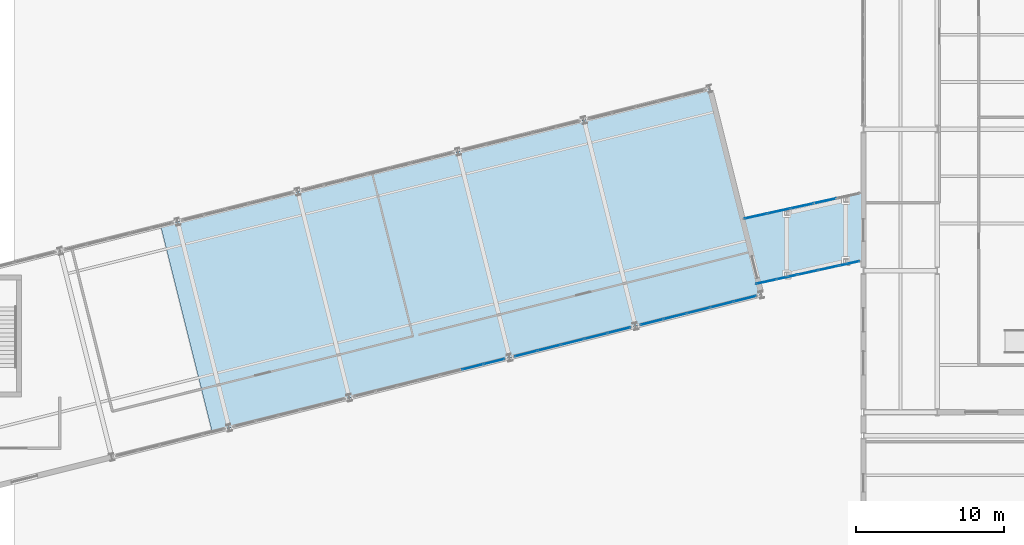
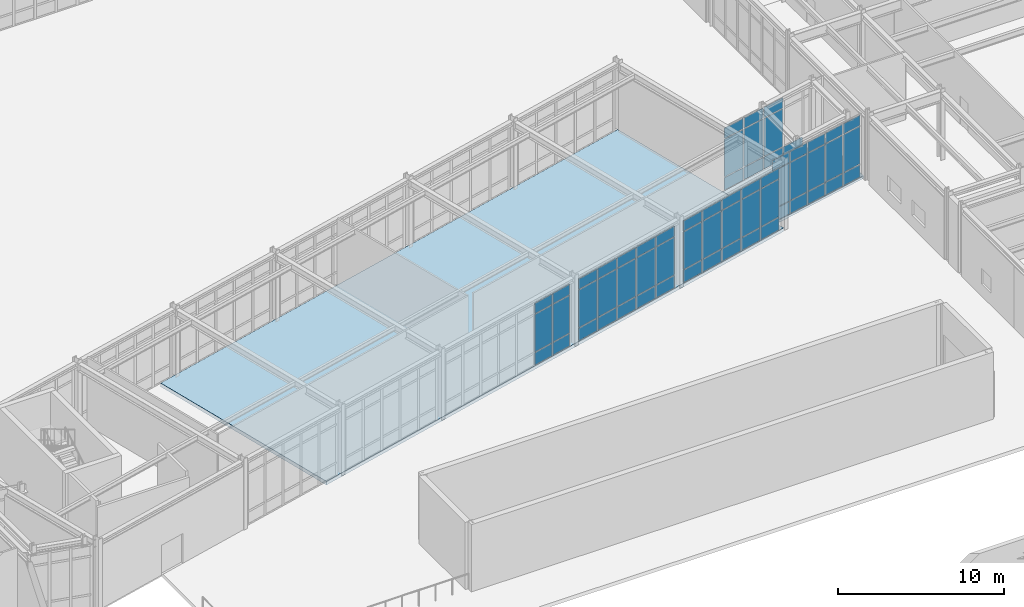
# One storey, part 70 of 109: 61 plates, 2 slabs, 5 elements without a shape of their own.
"""IFC4 building model written with IfcOpenShell, lengths in metres."""

from ifc_helpers import new_model, si_unit, direction, frame, origin, origin_2d, place, context, subcontext, project, spatial, polyline, rectangle, outline, extrude, material, layer, layer_set, type_object, element, aggregate, save


model = new_model("IFC4")

# Units and contexts
model_context = context("Model", 3, precision=1e-05, world=origin(), true_north=direction((0.0, 1.0)))
body_context = subcontext(model_context, "Body", "Model", "MODEL_VIEW")
ifc_project = project(units=[si_unit("LENGTHUNIT", "METRE"), si_unit("AREAUNIT", "SQUARE_METRE"), si_unit("VOLUMEUNIT", "CUBIC_METRE"), si_unit("PLANEANGLEUNIT", "RADIAN"), si_unit("MASSUNIT", "GRAM", prefix="KILO")], contexts=[model_context])

# Site, building, storey
site_placement = place(None, origin())
site = spatial("IfcSite", under=ifc_project, at=site_placement, CompositionType="ELEMENT")
building_placement = place(site_placement, origin())
building = spatial("IfcBuilding", under=site, at=building_placement, Name="Nordkorset Police Headquarters", CompositionType="ELEMENT")
storey_placement = place(building_placement, origin())
storey = spatial("IfcBuildingStorey", under=building, at=storey_placement, Name="L00", CompositionType="ELEMENT", Elevation=0.0)

# Curtain wall, plates
ifc_material_1 = material(Name="Aluminium alloy AW-6060", Category="aluminium")
ifc_layer_1 = layer(ifc_material_1, 0.179931640625, Name="Aluminium alloy AW-6060")
ifc_layer_set_1 = layer_set([ifc_layer_1], Name="Aluminium alloy AW-6060")
curtain_wall_type_1 = type_object("IfcCurtainWallType", Name="CW_Unit_1056x467", PredefinedType="USERDEFINED", material=ifc_layer_set_1)
curtain_wall_1_placement = place(storey_placement, origin())
curtain_wall_1 = element("IfcCurtainWall", 1, at=curtain_wall_1_placement, inside=storey, type_object=curtain_wall_type_1, Name="Unitised Curtain Wall L00 V4S-3", ObjectType="UNITISED CURTAIN WALL", PredefinedType="USERDEFINED")
ifc_material_2 = material(Name="Low-iron triple glazing", Category="glass")
ifc_layer_2 = layer(ifc_material_2, 0.035888671875, Name="Low-iron triple glazing")
ifc_layer_set_2 = layer_set([ifc_layer_2], Name="Low-iron triple glazing")
plate_type = type_object("IfcPlateType", Name="CW_Panel_TripleGlazing_36", PredefinedType="CURTAIN_PANEL", material=ifc_layer_set_2)
plate_1_placement = place(storey_placement, frame((59.89990234375, 51.074951171875, 0.06494140625), z_axis=(0.0, 0.0, 1.0), x_axis=(0.970142611554, 0.242535179399, 0.0)))
plate_1 = element("IfcPlate", 2, at=plate_1_placement, type_object=plate_type, Name="CW-18 panel 6.1", PredefinedType="CURTAIN_PANEL", context=body_context, shape_type="SweptSolid", body=[
    extrude(rectangle(XDim=1.443603515625, YDim=0.035888671875, at=origin_2d()), origin(), (0.0, 0.0, 1.0), 0.902587890625),
])
plate_2_placement = place(storey_placement, frame((59.89990234375, 51.074951171875, 1.032470703125), z_axis=(0.0, 0.0, 1.0), x_axis=(0.970142611554, 0.242535179399, 0.0)))
plate_2 = element("IfcPlate", 3, at=plate_2_placement, type_object=plate_type, Name="CW-18 panel 6.2", PredefinedType="CURTAIN_PANEL", context=body_context, shape_type="SweptSolid", body=[
    extrude(rectangle(XDim=1.443603515625, YDim=0.035888671875, at=origin_2d()), origin(), (0.0, 0.0, 1.0), 2.7548828125),
])
plate_3_placement = place(storey_placement, frame((59.89990234375, 51.074951171875, 3.8525390625), z_axis=(0.0, 0.0, 1.0), x_axis=(0.970142611554, 0.242535179399, 0.0)))
plate_3 = element("IfcPlate", 4, at=plate_3_placement, type_object=plate_type, Name="CW-18 panel 6.3", PredefinedType="CURTAIN_PANEL", context=body_context, shape_type="SweptSolid", body=[
    extrude(rectangle(XDim=1.443603515625, YDim=0.035888671875, at=origin_2d()), origin(), (0.0, 0.0, 1.0), 0.75244140625),
])
plate_4_placement = place(storey_placement, frame((61.34765625, 51.43701171875, 0.06494140625), z_axis=(0.0, 0.0, 1.0), x_axis=(0.970142611554, 0.242535179399, 0.0)))
plate_4 = element("IfcPlate", 5, at=plate_4_placement, type_object=plate_type, Name="CW-18 panel 7.1", PredefinedType="CURTAIN_PANEL", context=body_context, shape_type="SweptSolid", body=[
    extrude(rectangle(XDim=1.4111328125, YDim=0.035888671875, at=origin_2d()), origin(), (0.0, 0.0, 1.0), 0.902587890625),
])
plate_5_placement = place(storey_placement, frame((61.34765625, 51.43701171875, 1.032470703125), z_axis=(0.0, 0.0, 1.0), x_axis=(0.970142611554, 0.242535179399, 0.0)))
plate_5 = element("IfcPlate", 6, at=plate_5_placement, type_object=plate_type, Name="CW-18 panel 7.2", PredefinedType="CURTAIN_PANEL", context=body_context, shape_type="SweptSolid", body=[
    extrude(rectangle(XDim=1.4111328125, YDim=0.035888671875, at=origin_2d()), origin(), (0.0, 0.0, 1.0), 2.7548828125),
])
plate_6_placement = place(storey_placement, frame((61.34765625, 51.43701171875, 3.8525390625), z_axis=(0.0, 0.0, 1.0), x_axis=(0.970142611554, 0.242535179399, 0.0)))
plate_6 = element("IfcPlate", 7, at=plate_6_placement, type_object=plate_type, Name="CW-18 panel 7.3", PredefinedType="CURTAIN_PANEL", context=body_context, shape_type="SweptSolid", body=[
    extrude(rectangle(XDim=1.4111328125, YDim=0.035888671875, at=origin_2d()), origin(), (0.0, 0.0, 1.0), 0.75244140625),
])
aggregate(curtain_wall_1, [plate_1, plate_2, plate_3, plate_4, plate_5, plate_6])

ifc_material_3 = material(Name="Aluminium alloy AW-6060", Category="aluminium")
ifc_layer_3 = layer(ifc_material_3, 0.179931640625, Name="Aluminium alloy AW-6060")
ifc_layer_set_3 = layer_set([ifc_layer_3], Name="Aluminium alloy AW-6060")
curtain_wall_type_2 = type_object("IfcCurtainWallType", Name="CW_Unit_816x467", PredefinedType="USERDEFINED", material=ifc_layer_set_3)
curtain_wall_2_placement = place(storey_placement, origin())
curtain_wall_2 = element("IfcCurtainWall", 8, at=curtain_wall_2_placement, inside=storey, type_object=curtain_wall_type_2, Name="Unitised Curtain Wall L00 V4S-4", ObjectType="UNITISED CURTAIN WALL", PredefinedType="USERDEFINED")
plate_7_placement = place(storey_placement, frame((63.5234375, 51.98095703125, 0.06494140625), z_axis=(0.0, 0.0, 1.0), x_axis=(0.970142500145, 0.242535625038, 0.0)))
plate_7 = element("IfcPlate", 9, at=plate_7_placement, type_object=plate_type, Name="CW-80 panel 1.1", PredefinedType="CURTAIN_PANEL", context=body_context, shape_type="SweptSolid", body=[
    extrude(rectangle(XDim=1.534423828125, YDim=0.035888671875, at=origin_2d()), origin(), (0.0, 0.0, 1.0), 0.902587890625),
])
plate_8_placement = place(storey_placement, frame((63.5234375, 51.98095703125, 1.032470703125), z_axis=(0.0, 0.0, 1.0), x_axis=(0.970142500145, 0.242535625038, 0.0)))
plate_8 = element("IfcPlate", 10, at=plate_8_placement, type_object=plate_type, Name="CW-80 panel 1.2", PredefinedType="CURTAIN_PANEL", context=body_context, shape_type="SweptSolid", body=[
    extrude(rectangle(XDim=1.534423828125, YDim=0.035888671875, at=origin_2d()), origin(), (0.0, 0.0, 1.0), 2.7548828125),
])
plate_9_placement = place(storey_placement, frame((63.5234375, 51.98095703125, 3.8525390625), z_axis=(0.0, 0.0, 1.0), x_axis=(0.970142500145, 0.242535625038, 0.0)))
plate_9 = element("IfcPlate", 11, at=plate_9_placement, type_object=plate_type, Name="CW-80 panel 1.3", PredefinedType="CURTAIN_PANEL", context=body_context, shape_type="SweptSolid", body=[
    extrude(rectangle(XDim=1.534423828125, YDim=0.035888671875, at=origin_2d()), origin(), (0.0, 0.0, 1.0), 0.75244140625),
])
plate_10_placement = place(storey_placement, frame((65.091064453125, 52.372802734375, 0.06494140625), z_axis=(0.0, 0.0, 1.0), x_axis=(0.970142500145, 0.242535625038, 0.0)))
plate_10 = element("IfcPlate", 12, at=plate_10_placement, type_object=plate_type, Name="CW-80 panel 2.1", PredefinedType="CURTAIN_PANEL", context=body_context, shape_type="SweptSolid", body=[
    extrude(rectangle(XDim=1.56689453125, YDim=0.035888671875, at=origin_2d()), origin(), (0.0, 0.0, 1.0), 0.902587890625),
])
plate_11_placement = place(storey_placement, frame((65.091064453125, 52.372802734375, 1.032470703125), z_axis=(0.0, 0.0, 1.0), x_axis=(0.970142500145, 0.242535625038, 0.0)))
plate_11 = element("IfcPlate", 13, at=plate_11_placement, type_object=plate_type, Name="CW-80 panel 2.2", PredefinedType="CURTAIN_PANEL", context=body_context, shape_type="SweptSolid", body=[
    extrude(rectangle(XDim=1.56689453125, YDim=0.035888671875, at=origin_2d()), origin(), (0.0, 0.0, 1.0), 2.7548828125),
])
plate_12_placement = place(storey_placement, frame((65.091064453125, 52.372802734375, 3.8525390625), z_axis=(0.0, 0.0, 1.0), x_axis=(0.970142500145, 0.242535625038, 0.0)))
plate_12 = element("IfcPlate", 14, at=plate_12_placement, type_object=plate_type, Name="CW-80 panel 2.3", PredefinedType="CURTAIN_PANEL", context=body_context, shape_type="SweptSolid", body=[
    extrude(rectangle(XDim=1.56689453125, YDim=0.035888671875, at=origin_2d()), origin(), (0.0, 0.0, 1.0), 0.75244140625),
])
plate_13_placement = place(storey_placement, frame((66.67431640625, 52.7685546875, 0.06494140625), z_axis=(0.0, 0.0, 1.0), x_axis=(0.970142500145, 0.242535625038, 0.0)))
plate_13 = element("IfcPlate", 15, at=plate_13_placement, type_object=plate_type, Name="CW-80 panel 3.1", PredefinedType="CURTAIN_PANEL", context=body_context, shape_type="SweptSolid", body=[
    extrude(rectangle(XDim=1.56689453125, YDim=0.035888671875, at=origin_2d()), origin(), (0.0, 0.0, 1.0), 0.902587890625),
])
plate_14_placement = place(storey_placement, frame((66.67431640625, 52.7685546875, 1.032470703125), z_axis=(0.0, 0.0, 1.0), x_axis=(0.970142500145, 0.242535625038, 0.0)))
plate_14 = element("IfcPlate", 16, at=plate_14_placement, type_object=plate_type, Name="CW-80 panel 3.2", PredefinedType="CURTAIN_PANEL", context=body_context, shape_type="SweptSolid", body=[
    extrude(rectangle(XDim=1.56689453125, YDim=0.035888671875, at=origin_2d()), origin(), (0.0, 0.0, 1.0), 2.7548828125),
])
plate_15_placement = place(storey_placement, frame((66.67431640625, 52.7685546875, 3.8525390625), z_axis=(0.0, 0.0, 1.0), x_axis=(0.970142500145, 0.242535625038, 0.0)))
plate_15 = element("IfcPlate", 17, at=plate_15_placement, type_object=plate_type, Name="CW-80 panel 3.3", PredefinedType="CURTAIN_PANEL", context=body_context, shape_type="SweptSolid", body=[
    extrude(rectangle(XDim=1.56689453125, YDim=0.035888671875, at=origin_2d()), origin(), (0.0, 0.0, 1.0), 0.75244140625),
])
plate_16_placement = place(storey_placement, frame((68.257568359375, 53.164306640625, 0.06494140625), z_axis=(0.0, 0.0, 1.0), x_axis=(0.970142500145, 0.242535625038, 0.0)))
plate_16 = element("IfcPlate", 18, at=plate_16_placement, type_object=plate_type, Name="CW-80 panel 4.1", PredefinedType="CURTAIN_PANEL", context=body_context, shape_type="SweptSolid", body=[
    extrude(rectangle(XDim=1.56689453125, YDim=0.035888671875, at=origin_2d()), origin(), (0.0, 0.0, 1.0), 0.902587890625),
])
plate_17_placement = place(storey_placement, frame((68.257568359375, 53.164306640625, 1.032470703125), z_axis=(0.0, 0.0, 1.0), x_axis=(0.970142500145, 0.242535625038, 0.0)))
plate_17 = element("IfcPlate", 19, at=plate_17_placement, type_object=plate_type, Name="CW-80 panel 4.2", PredefinedType="CURTAIN_PANEL", context=body_context, shape_type="SweptSolid", body=[
    extrude(rectangle(XDim=1.56689453125, YDim=0.035888671875, at=origin_2d()), origin(), (0.0, 0.0, 1.0), 2.7548828125),
])
plate_18_placement = place(storey_placement, frame((68.257568359375, 53.164306640625, 3.8525390625), z_axis=(0.0, 0.0, 1.0), x_axis=(0.970142500145, 0.242535625038, 0.0)))
plate_18 = element("IfcPlate", 20, at=plate_18_placement, type_object=plate_type, Name="CW-80 panel 4.3", PredefinedType="CURTAIN_PANEL", context=body_context, shape_type="SweptSolid", body=[
    extrude(rectangle(XDim=1.56689453125, YDim=0.035888671875, at=origin_2d()), origin(), (0.0, 0.0, 1.0), 0.75244140625),
])
plate_19_placement = place(storey_placement, frame((69.8251953125, 53.556396484375, 0.06494140625), z_axis=(0.0, 0.0, 1.0), x_axis=(0.970142500145, 0.242535625038, 0.0)))
plate_19 = element("IfcPlate", 21, at=plate_19_placement, type_object=plate_type, Name="CW-80 panel 5.1", PredefinedType="CURTAIN_PANEL", context=body_context, shape_type="SweptSolid", body=[
    extrude(rectangle(XDim=1.534423828125, YDim=0.035888671875, at=origin_2d()), origin(), (0.0, 0.0, 1.0), 0.902587890625),
])
plate_20_placement = place(storey_placement, frame((69.8251953125, 53.556396484375, 1.032470703125), z_axis=(0.0, 0.0, 1.0), x_axis=(0.970142500145, 0.242535625038, 0.0)))
plate_20 = element("IfcPlate", 22, at=plate_20_placement, type_object=plate_type, Name="CW-80 panel 5.2", PredefinedType="CURTAIN_PANEL", context=body_context, shape_type="SweptSolid", body=[
    extrude(rectangle(XDim=1.534423828125, YDim=0.035888671875, at=origin_2d()), origin(), (0.0, 0.0, 1.0), 2.7548828125),
])
plate_21_placement = place(storey_placement, frame((69.8251953125, 53.556396484375, 3.8525390625), z_axis=(0.0, 0.0, 1.0), x_axis=(0.970142500145, 0.242535625038, 0.0)))
plate_21 = element("IfcPlate", 23, at=plate_21_placement, type_object=plate_type, Name="CW-80 panel 5.3", PredefinedType="CURTAIN_PANEL", context=body_context, shape_type="SweptSolid", body=[
    extrude(rectangle(XDim=1.534423828125, YDim=0.035888671875, at=origin_2d()), origin(), (0.0, 0.0, 1.0), 0.75244140625),
])
aggregate(curtain_wall_2, [plate_7, plate_8, plate_9, plate_10, plate_11, plate_12, plate_13, plate_14, plate_15, plate_16, plate_17, plate_18, plate_19, plate_20, plate_21])

curtain_wall_3_placement = place(storey_placement, origin())
curtain_wall_3 = element("IfcCurtainWall", 24, at=curtain_wall_3_placement, inside=storey, type_object=curtain_wall_type_2, Name="Unitised Curtain Wall L00 V4S-5", ObjectType="UNITISED CURTAIN WALL", PredefinedType="USERDEFINED")
plate_22_placement = place(storey_placement, frame((72.060791015625, 54.115234375, 0.06494140625), z_axis=(0.0, 0.0, 1.0), x_axis=(0.970142500145, 0.242535625038, 0.0)))
plate_22 = element("IfcPlate", 25, at=plate_22_placement, type_object=plate_type, Name="CW-80 panel 1.1", PredefinedType="CURTAIN_PANEL", context=body_context, shape_type="SweptSolid", body=[
    extrude(rectangle(XDim=1.534423828125, YDim=0.035888671875, at=origin_2d()), origin(), (0.0, 0.0, 1.0), 0.902587890625),
])
plate_23_placement = place(storey_placement, frame((72.060791015625, 54.115234375, 1.032470703125), z_axis=(0.0, 0.0, 1.0), x_axis=(0.970142500145, 0.242535625038, 0.0)))
plate_23 = element("IfcPlate", 26, at=plate_23_placement, type_object=plate_type, Name="CW-80 panel 1.2", PredefinedType="CURTAIN_PANEL", context=body_context, shape_type="SweptSolid", body=[
    extrude(rectangle(XDim=1.534423828125, YDim=0.035888671875, at=origin_2d()), origin(), (0.0, 0.0, 1.0), 2.7548828125),
])
plate_24_placement = place(storey_placement, frame((72.060791015625, 54.115234375, 3.8525390625), z_axis=(0.0, 0.0, 1.0), x_axis=(0.970142500145, 0.242535625038, 0.0)))
plate_24 = element("IfcPlate", 27, at=plate_24_placement, type_object=plate_type, Name="CW-80 panel 1.3", PredefinedType="CURTAIN_PANEL", context=body_context, shape_type="SweptSolid", body=[
    extrude(rectangle(XDim=1.534423828125, YDim=0.035888671875, at=origin_2d()), origin(), (0.0, 0.0, 1.0), 0.75244140625),
])
plate_25_placement = place(storey_placement, frame((73.62841796875, 54.507080078125, 0.06494140625), z_axis=(0.0, 0.0, 1.0), x_axis=(0.970142500145, 0.242535625038, 0.0)))
plate_25 = element("IfcPlate", 28, at=plate_25_placement, type_object=plate_type, Name="CW-80 panel 2.1", PredefinedType="CURTAIN_PANEL", context=body_context, shape_type="SweptSolid", body=[
    extrude(rectangle(XDim=1.56689453125, YDim=0.035888671875, at=origin_2d()), origin(), (0.0, 0.0, 1.0), 0.902587890625),
])
plate_26_placement = place(storey_placement, frame((73.62841796875, 54.507080078125, 1.032470703125), z_axis=(0.0, 0.0, 1.0), x_axis=(0.970142500145, 0.242535625038, 0.0)))
plate_26 = element("IfcPlate", 29, at=plate_26_placement, type_object=plate_type, Name="CW-80 panel 2.2", PredefinedType="CURTAIN_PANEL", context=body_context, shape_type="SweptSolid", body=[
    extrude(rectangle(XDim=1.56689453125, YDim=0.035888671875, at=origin_2d()), origin(), (0.0, 0.0, 1.0), 2.7548828125),
])
plate_27_placement = place(storey_placement, frame((73.62841796875, 54.507080078125, 3.8525390625), z_axis=(0.0, 0.0, 1.0), x_axis=(0.970142500145, 0.242535625038, 0.0)))
plate_27 = element("IfcPlate", 30, at=plate_27_placement, type_object=plate_type, Name="CW-80 panel 2.3", PredefinedType="CURTAIN_PANEL", context=body_context, shape_type="SweptSolid", body=[
    extrude(rectangle(XDim=1.56689453125, YDim=0.035888671875, at=origin_2d()), origin(), (0.0, 0.0, 1.0), 0.75244140625),
])
plate_28_placement = place(storey_placement, frame((75.211669921875, 54.90283203125, 0.06494140625), z_axis=(0.0, 0.0, 1.0), x_axis=(0.970142500145, 0.242535625038, 0.0)))
plate_28 = element("IfcPlate", 31, at=plate_28_placement, type_object=plate_type, Name="CW-80 panel 3.1", PredefinedType="CURTAIN_PANEL", context=body_context, shape_type="SweptSolid", body=[
    extrude(rectangle(XDim=1.56689453125, YDim=0.035888671875, at=origin_2d()), origin(), (0.0, 0.0, 1.0), 0.902587890625),
])
plate_29_placement = place(storey_placement, frame((75.211669921875, 54.90283203125, 1.032470703125), z_axis=(0.0, 0.0, 1.0), x_axis=(0.970142500145, 0.242535625038, 0.0)))
plate_29 = element("IfcPlate", 32, at=plate_29_placement, type_object=plate_type, Name="CW-80 panel 3.2", PredefinedType="CURTAIN_PANEL", context=body_context, shape_type="SweptSolid", body=[
    extrude(rectangle(XDim=1.56689453125, YDim=0.035888671875, at=origin_2d()), origin(), (0.0, 0.0, 1.0), 2.7548828125),
])
plate_30_placement = place(storey_placement, frame((75.211669921875, 54.90283203125, 3.8525390625), z_axis=(0.0, 0.0, 1.0), x_axis=(0.970142500145, 0.242535625038, 0.0)))
plate_30 = element("IfcPlate", 33, at=plate_30_placement, type_object=plate_type, Name="CW-80 panel 3.3", PredefinedType="CURTAIN_PANEL", context=body_context, shape_type="SweptSolid", body=[
    extrude(rectangle(XDim=1.56689453125, YDim=0.035888671875, at=origin_2d()), origin(), (0.0, 0.0, 1.0), 0.75244140625),
])
plate_31_placement = place(storey_placement, frame((76.794921875, 55.298828125, 0.06494140625), z_axis=(0.0, 0.0, 1.0), x_axis=(0.970142500145, 0.242535625038, 0.0)))
plate_31 = element("IfcPlate", 34, at=plate_31_placement, type_object=plate_type, Name="CW-80 panel 4.1", PredefinedType="CURTAIN_PANEL", context=body_context, shape_type="SweptSolid", body=[
    extrude(rectangle(XDim=1.56689453125, YDim=0.035888671875, at=origin_2d()), origin(), (0.0, 0.0, 1.0), 0.902587890625),
])
plate_32_placement = place(storey_placement, frame((76.794921875, 55.298828125, 1.032470703125), z_axis=(0.0, 0.0, 1.0), x_axis=(0.970142500145, 0.242535625038, 0.0)))
plate_32 = element("IfcPlate", 35, at=plate_32_placement, type_object=plate_type, Name="CW-80 panel 4.2", PredefinedType="CURTAIN_PANEL", context=body_context, shape_type="SweptSolid", body=[
    extrude(rectangle(XDim=1.56689453125, YDim=0.035888671875, at=origin_2d()), origin(), (0.0, 0.0, 1.0), 2.7548828125),
])
plate_33_placement = place(storey_placement, frame((76.794921875, 55.298828125, 3.8525390625), z_axis=(0.0, 0.0, 1.0), x_axis=(0.970142500145, 0.242535625038, 0.0)))
plate_33 = element("IfcPlate", 36, at=plate_33_placement, type_object=plate_type, Name="CW-80 panel 4.3", PredefinedType="CURTAIN_PANEL", context=body_context, shape_type="SweptSolid", body=[
    extrude(rectangle(XDim=1.56689453125, YDim=0.035888671875, at=origin_2d()), origin(), (0.0, 0.0, 1.0), 0.75244140625),
])
plate_34_placement = place(storey_placement, frame((78.3623046875, 55.690673828125, 0.06494140625), z_axis=(0.0, 0.0, 1.0), x_axis=(0.970142500145, 0.242535625038, 0.0)))
plate_34 = element("IfcPlate", 37, at=plate_34_placement, type_object=plate_type, Name="CW-80 panel 5.1", PredefinedType="CURTAIN_PANEL", context=body_context, shape_type="SweptSolid", body=[
    extrude(rectangle(XDim=1.534423828125, YDim=0.035888671875, at=origin_2d()), origin(), (0.0, 0.0, 1.0), 0.902587890625),
])
plate_35_placement = place(storey_placement, frame((78.3623046875, 55.690673828125, 1.032470703125), z_axis=(0.0, 0.0, 1.0), x_axis=(0.970142500145, 0.242535625038, 0.0)))
plate_35 = element("IfcPlate", 38, at=plate_35_placement, type_object=plate_type, Name="CW-80 panel 5.2", PredefinedType="CURTAIN_PANEL", context=body_context, shape_type="SweptSolid", body=[
    extrude(rectangle(XDim=1.534423828125, YDim=0.035888671875, at=origin_2d()), origin(), (0.0, 0.0, 1.0), 2.7548828125),
])
plate_36_placement = place(storey_placement, frame((78.3623046875, 55.690673828125, 3.8525390625), z_axis=(0.0, 0.0, 1.0), x_axis=(0.970142500145, 0.242535625038, 0.0)))
plate_36 = element("IfcPlate", 39, at=plate_36_placement, type_object=plate_type, Name="CW-80 panel 5.3", PredefinedType="CURTAIN_PANEL", context=body_context, shape_type="SweptSolid", body=[
    extrude(rectangle(XDim=1.534423828125, YDim=0.035888671875, at=origin_2d()), origin(), (0.0, 0.0, 1.0), 0.75244140625),
])
aggregate(curtain_wall_3, [plate_22, plate_23, plate_24, plate_25, plate_26, plate_27, plate_28, plate_29, plate_30, plate_31, plate_32, plate_33, plate_34, plate_35, plate_36])

ifc_material_4 = material(Name="Aluminium alloy AW-6060", Category="aluminium")
ifc_layer_4 = layer(ifc_material_4, 0.179931640625, Name="Aluminium alloy AW-6060")
ifc_layer_set_4 = layer_set([ifc_layer_4], Name="Aluminium alloy AW-6060")
curtain_wall_type_3 = type_object("IfcCurtainWallType", Name="CW_Unit_727x468", PredefinedType="USERDEFINED", material=ifc_layer_set_4)
curtain_wall_4_placement = place(storey_placement, origin())
curtain_wall_4 = element("IfcCurtainWall", 40, at=curtain_wall_4_placement, inside=storey, type_object=curtain_wall_type_3, Name="Unitised Curtain Wall L00 BRGE-S", ObjectType="UNITISED CURTAIN WALL", PredefinedType="USERDEFINED")
plate_37_placement = place(storey_placement, frame((79.801513671875, 56.857177734375, 0.06494140625), z_axis=(0.0, 0.0, 1.0), x_axis=(0.976891325695, 0.213736608425, 0.0)))
plate_37 = element("IfcPlate", 41, at=plate_37_placement, type_object=plate_type, Name="CW-33 panel 1.1", PredefinedType="CURTAIN_PANEL", context=body_context, shape_type="SweptSolid", body=[
    extrude(rectangle(XDim=1.355712890625, YDim=0.035888671875, at=origin_2d()), origin(), (0.0, 0.0, 1.0), 0.902587890625),
])
plate_38_placement = place(storey_placement, frame((79.801513671875, 56.857177734375, 1.032470703125), z_axis=(0.0, 0.0, 1.0), x_axis=(0.976891325695, 0.213736608425, 0.0)))
plate_38 = element("IfcPlate", 42, at=plate_38_placement, type_object=plate_type, Name="CW-33 panel 1.2", PredefinedType="CURTAIN_PANEL", context=body_context, shape_type="SweptSolid", body=[
    extrude(rectangle(XDim=1.355712890625, YDim=0.035888671875, at=origin_2d()), origin(), (0.0, 0.0, 1.0), 2.77001953125),
])
plate_39_placement = place(storey_placement, frame((79.801513671875, 56.857177734375, 3.867431640625), z_axis=(0.0, 0.0, 1.0), x_axis=(0.976891325695, 0.213736608425, 0.0)))
plate_39 = element("IfcPlate", 43, at=plate_39_placement, type_object=plate_type, Name="CW-33 panel 1.3", PredefinedType="CURTAIN_PANEL", context=body_context, shape_type="SweptSolid", body=[
    extrude(rectangle(XDim=1.355712890625, YDim=0.035888671875, at=origin_2d()), origin(), (0.0, 0.0, 1.0), 0.75244140625),
])
plate_40_placement = place(storey_placement, frame((81.205322265625, 57.164306640625, 0.06494140625), z_axis=(0.0, 0.0, 1.0), x_axis=(0.976891325695, 0.213736608425, 0.0)))
plate_40 = element("IfcPlate", 44, at=plate_40_placement, type_object=plate_type, Name="CW-33 panel 2.1", PredefinedType="CURTAIN_PANEL", context=body_context, shape_type="SweptSolid", body=[
    extrude(rectangle(XDim=1.38818359375, YDim=0.035888671875, at=origin_2d()), origin(), (0.0, 0.0, 1.0), 0.902587890625),
])
plate_41_placement = place(storey_placement, frame((81.205322265625, 57.164306640625, 1.032470703125), z_axis=(0.0, 0.0, 1.0), x_axis=(0.976891325695, 0.213736608425, 0.0)))
plate_41 = element("IfcPlate", 45, at=plate_41_placement, type_object=plate_type, Name="CW-33 panel 2.2", PredefinedType="CURTAIN_PANEL", context=body_context, shape_type="SweptSolid", body=[
    extrude(rectangle(XDim=1.38818359375, YDim=0.035888671875, at=origin_2d()), origin(), (0.0, 0.0, 1.0), 2.77001953125),
])
plate_42_placement = place(storey_placement, frame((81.205322265625, 57.164306640625, 3.867431640625), z_axis=(0.0, 0.0, 1.0), x_axis=(0.976891325695, 0.213736608425, 0.0)))
plate_42 = element("IfcPlate", 46, at=plate_42_placement, type_object=plate_type, Name="CW-33 panel 2.3", PredefinedType="CURTAIN_PANEL", context=body_context, shape_type="SweptSolid", body=[
    extrude(rectangle(XDim=1.38818359375, YDim=0.035888671875, at=origin_2d()), origin(), (0.0, 0.0, 1.0), 0.75244140625),
])
plate_43_placement = place(storey_placement, frame((82.625, 57.47509765625, 0.06494140625), z_axis=(0.0, 0.0, 1.0), x_axis=(0.976891325695, 0.213736608425, 0.0)))
plate_43 = element("IfcPlate", 47, at=plate_43_placement, type_object=plate_type, Name="CW-33 panel 3.1", PredefinedType="CURTAIN_PANEL", context=body_context, shape_type="SweptSolid", body=[
    extrude(rectangle(XDim=1.38818359375, YDim=0.035888671875, at=origin_2d()), origin(), (0.0, 0.0, 1.0), 0.902587890625),
])
plate_44_placement = place(storey_placement, frame((82.625, 57.47509765625, 1.032470703125), z_axis=(0.0, 0.0, 1.0), x_axis=(0.976891325695, 0.213736608425, 0.0)))
plate_44 = element("IfcPlate", 48, at=plate_44_placement, type_object=plate_type, Name="CW-33 panel 3.2", PredefinedType="CURTAIN_PANEL", context=body_context, shape_type="SweptSolid", body=[
    extrude(rectangle(XDim=1.38818359375, YDim=0.035888671875, at=origin_2d()), origin(), (0.0, 0.0, 1.0), 2.77001953125),
])
plate_45_placement = place(storey_placement, frame((82.625, 57.47509765625, 3.867431640625), z_axis=(0.0, 0.0, 1.0), x_axis=(0.976891325695, 0.213736608425, 0.0)))
plate_45 = element("IfcPlate", 49, at=plate_45_placement, type_object=plate_type, Name="CW-33 panel 3.3", PredefinedType="CURTAIN_PANEL", context=body_context, shape_type="SweptSolid", body=[
    extrude(rectangle(XDim=1.38818359375, YDim=0.035888671875, at=origin_2d()), origin(), (0.0, 0.0, 1.0), 0.75244140625),
])
plate_46_placement = place(storey_placement, frame((84.044677734375, 57.78564453125, 0.06494140625), z_axis=(0.0, 0.0, 1.0), x_axis=(0.976891325695, 0.213736608425, 0.0)))
plate_46 = element("IfcPlate", 50, at=plate_46_placement, type_object=plate_type, Name="CW-33 panel 4.1", PredefinedType="CURTAIN_PANEL", context=body_context, shape_type="SweptSolid", body=[
    extrude(rectangle(XDim=1.38818359375, YDim=0.035888671875, at=origin_2d()), origin(), (0.0, 0.0, 1.0), 0.902587890625),
])
plate_47_placement = place(storey_placement, frame((84.044677734375, 57.78564453125, 1.032470703125), z_axis=(0.0, 0.0, 1.0), x_axis=(0.976891325695, 0.213736608425, 0.0)))
plate_47 = element("IfcPlate", 51, at=plate_47_placement, type_object=plate_type, Name="CW-33 panel 4.2", PredefinedType="CURTAIN_PANEL", context=body_context, shape_type="SweptSolid", body=[
    extrude(rectangle(XDim=1.38818359375, YDim=0.035888671875, at=origin_2d()), origin(), (0.0, 0.0, 1.0), 2.77001953125),
])
plate_48_placement = place(storey_placement, frame((84.044677734375, 57.78564453125, 3.867431640625), z_axis=(0.0, 0.0, 1.0), x_axis=(0.976891325695, 0.213736608425, 0.0)))
plate_48 = element("IfcPlate", 52, at=plate_48_placement, type_object=plate_type, Name="CW-33 panel 4.3", PredefinedType="CURTAIN_PANEL", context=body_context, shape_type="SweptSolid", body=[
    extrude(rectangle(XDim=1.38818359375, YDim=0.035888671875, at=origin_2d()), origin(), (0.0, 0.0, 1.0), 0.75244140625),
])
plate_49_placement = place(storey_placement, frame((85.448486328125, 58.0927734375, 0.06494140625), z_axis=(0.0, 0.0, 1.0), x_axis=(0.976891325695, 0.213736608425, 0.0)))
plate_49 = element("IfcPlate", 53, at=plate_49_placement, type_object=plate_type, Name="CW-33 panel 5.1", PredefinedType="CURTAIN_PANEL", context=body_context, shape_type="SweptSolid", body=[
    extrude(rectangle(XDim=1.355712890625, YDim=0.035888671875, at=origin_2d()), origin(), (0.0, 0.0, 1.0), 0.902587890625),
])
plate_50_placement = place(storey_placement, frame((85.448486328125, 58.0927734375, 1.032470703125), z_axis=(0.0, 0.0, 1.0), x_axis=(0.976891325695, 0.213736608425, 0.0)))
plate_50 = element("IfcPlate", 54, at=plate_50_placement, type_object=plate_type, Name="CW-33 panel 5.2", PredefinedType="CURTAIN_PANEL", context=body_context, shape_type="SweptSolid", body=[
    extrude(rectangle(XDim=1.355712890625, YDim=0.035888671875, at=origin_2d()), origin(), (0.0, 0.0, 1.0), 2.77001953125),
])
plate_51_placement = place(storey_placement, frame((85.448486328125, 58.0927734375, 3.867431640625), z_axis=(0.0, 0.0, 1.0), x_axis=(0.976891325695, 0.213736608425, 0.0)))
plate_51 = element("IfcPlate", 55, at=plate_51_placement, type_object=plate_type, Name="CW-33 panel 5.3", PredefinedType="CURTAIN_PANEL", context=body_context, shape_type="SweptSolid", body=[
    extrude(rectangle(XDim=1.355712890625, YDim=0.035888671875, at=origin_2d()), origin(), (0.0, 0.0, 1.0), 0.75244140625),
])
aggregate(curtain_wall_4, [plate_37, plate_38, plate_39, plate_40, plate_41, plate_42, plate_43, plate_44, plate_45, plate_46, plate_47, plate_48, plate_49, plate_50, plate_51])

ifc_material_5 = material(Name="Aluminium alloy AW-6060", Category="aluminium")
ifc_layer_5 = layer(ifc_material_5, 0.179931640625, Name="Aluminium alloy AW-6060")
ifc_layer_set_5 = layer_set([ifc_layer_5], Name="Aluminium alloy AW-6060")
curtain_wall_type_4 = type_object("IfcCurtainWallType", Name="CW_Unit_809x468", PredefinedType="USERDEFINED", material=ifc_layer_set_5)
curtain_wall_5_placement = place(storey_placement, origin())
curtain_wall_5 = element("IfcCurtainWall", 56, at=curtain_wall_5_placement, inside=storey, type_object=curtain_wall_type_4, Name="Unitised Curtain Wall L00 BRGE-N", ObjectType="UNITISED CURTAIN WALL", PredefinedType="USERDEFINED")
plate_52_placement = place(storey_placement, frame((79.08154296875, 61.29541015625, 0.06494140625), z_axis=(0.0, 0.0, 1.0), x_axis=(0.976768327939, 0.214298001706, 0.0)))
plate_52 = element("IfcPlate", 57, at=plate_52_placement, type_object=plate_type, Name="CW-59 panel 1.1", PredefinedType="CURTAIN_PANEL", context=body_context, shape_type="SweptSolid", body=[
    extrude(rectangle(XDim=1.519775390625, YDim=0.035888671875, at=origin_2d()), origin(), (0.0, 0.0, 1.0), 0.902587890625),
])
plate_53_placement = place(storey_placement, frame((79.08154296875, 61.29541015625, 1.032470703125), z_axis=(0.0, 0.0, 1.0), x_axis=(0.976768327939, 0.214298001706, 0.0)))
plate_53 = element("IfcPlate", 58, at=plate_53_placement, type_object=plate_type, Name="CW-59 panel 1.2", PredefinedType="CURTAIN_PANEL", context=body_context, shape_type="SweptSolid", body=[
    extrude(rectangle(XDim=1.519775390625, YDim=0.035888671875, at=origin_2d()), origin(), (0.0, 0.0, 1.0), 2.77001953125),
])
plate_54_placement = place(storey_placement, frame((79.08154296875, 61.29541015625, 3.867431640625), z_axis=(0.0, 0.0, 1.0), x_axis=(0.976768327939, 0.214298001706, 0.0)))
plate_54 = element("IfcPlate", 59, at=plate_54_placement, type_object=plate_type, Name="CW-59 panel 1.3", PredefinedType="CURTAIN_PANEL", context=body_context, shape_type="SweptSolid", body=[
    extrude(rectangle(XDim=1.519775390625, YDim=0.035888671875, at=origin_2d()), origin(), (0.0, 0.0, 1.0), 0.75244140625),
])
plate_55_placement = place(storey_placement, frame((80.645263671875, 61.638427734375, 0.06494140625), z_axis=(0.0, 0.0, 1.0), x_axis=(0.976768327939, 0.214298001706, 0.0)))
plate_55 = element("IfcPlate", 60, at=plate_55_placement, type_object=plate_type, Name="CW-59 panel 2.1", PredefinedType="CURTAIN_PANEL", context=body_context, shape_type="SweptSolid", body=[
    extrude(rectangle(XDim=1.55224609375, YDim=0.035888671875, at=origin_2d()), origin(), (0.0, 0.0, 1.0), 0.902587890625),
])
plate_56_placement = place(storey_placement, frame((80.645263671875, 61.638427734375, 1.032470703125), z_axis=(0.0, 0.0, 1.0), x_axis=(0.976768327939, 0.214298001706, 0.0)))
plate_56 = element("IfcPlate", 61, at=plate_56_placement, type_object=plate_type, Name="CW-59 panel 2.2", PredefinedType="CURTAIN_PANEL", context=body_context, shape_type="SweptSolid", body=[
    extrude(rectangle(XDim=1.55224609375, YDim=0.035888671875, at=origin_2d()), origin(), (0.0, 0.0, 1.0), 2.77001953125),
])
plate_57_placement = place(storey_placement, frame((80.645263671875, 61.638427734375, 3.867431640625), z_axis=(0.0, 0.0, 1.0), x_axis=(0.976768327939, 0.214298001706, 0.0)))
plate_57 = element("IfcPlate", 62, at=plate_57_placement, type_object=plate_type, Name="CW-59 panel 2.3", PredefinedType="CURTAIN_PANEL", context=body_context, shape_type="SweptSolid", body=[
    extrude(rectangle(XDim=1.55224609375, YDim=0.035888671875, at=origin_2d()), origin(), (0.0, 0.0, 1.0), 0.75244140625),
])
plate_58_placement = place(storey_placement, frame((82.22509765625, 61.985107421875, 0.06494140625), z_axis=(0.0, 0.0, 1.0), x_axis=(0.976768327939, 0.214298001706, 0.0)))
plate_58 = element("IfcPlate", 63, at=plate_58_placement, type_object=plate_type, Name="CW-59 panel 3.1", PredefinedType="CURTAIN_PANEL", context=body_context, shape_type="SweptSolid", body=[
    extrude(rectangle(XDim=1.55224609375, YDim=0.035888671875, at=origin_2d()), origin(), (0.0, 0.0, 1.0), 0.902587890625),
])
plate_59_placement = place(storey_placement, frame((82.22509765625, 61.985107421875, 1.032470703125), z_axis=(0.0, 0.0, 1.0), x_axis=(0.976768327939, 0.214298001706, 0.0)))
plate_59 = element("IfcPlate", 64, at=plate_59_placement, type_object=plate_type, Name="CW-59 panel 3.2", PredefinedType="CURTAIN_PANEL", context=body_context, shape_type="SweptSolid", body=[
    extrude(rectangle(XDim=1.55224609375, YDim=0.035888671875, at=origin_2d()), origin(), (0.0, 0.0, 1.0), 2.77001953125),
])
plate_60_placement = place(storey_placement, frame((82.22509765625, 61.985107421875, 3.867431640625), z_axis=(0.0, 0.0, 1.0), x_axis=(0.976768327939, 0.214298001706, 0.0)))
plate_60 = element("IfcPlate", 65, at=plate_60_placement, type_object=plate_type, Name="CW-59 panel 3.3", PredefinedType="CURTAIN_PANEL", context=body_context, shape_type="SweptSolid", body=[
    extrude(rectangle(XDim=1.55224609375, YDim=0.035888671875, at=origin_2d()), origin(), (0.0, 0.0, 1.0), 0.75244140625),
])
plate_61_placement = place(storey_placement, frame((83.8046875, 62.33154296875, 0.06494140625), z_axis=(0.0, 0.0, 1.0), x_axis=(0.976768327939, 0.214298001706, 0.0)))
plate_61 = element("IfcPlate", 66, at=plate_61_placement, type_object=plate_type, Name="CW-59 panel 4.1", PredefinedType="CURTAIN_PANEL", context=body_context, shape_type="SweptSolid", body=[
    extrude(rectangle(XDim=1.55224609375, YDim=0.035888671875, at=origin_2d()), origin(), (0.0, 0.0, 1.0), 0.902587890625),
])
aggregate(curtain_wall_5, [plate_52, plate_53, plate_54, plate_55, plate_56, plate_57, plate_58, plate_59, plate_60, plate_61])

# Slabs
ifc_material_6 = material(Name="Concrete C35/45", Category="concrete")
ifc_layer_6 = layer(ifc_material_6, 0.195068359375, Name="Concrete C35/45")
ifc_layer_set_6 = layer_set([ifc_layer_6], Name="Concrete C35/45")
slab_type_1 = type_object("IfcSlabType", Name="Slab_Bridge_195", PredefinedType="FLOOR", material=ifc_layer_set_6)
slab_1_placement = place(storey_placement, frame((0.0, 0.0, -0.195068359375)))
element("IfcSlab", 67, at=slab_1_placement, inside=storey, type_object=slab_type_1, Name="East Courtyard Glazed Link Bridge Floor Slab L00", PredefinedType="FLOOR", context=body_context, shape_type="SweptSolid", body=[
    extrude(outline(polyline([(86.39501953125, 62.89990234375), (86.39501953125, 58.300048828125), (79.28662109375, 56.744140625), (78.1962890625, 61.105712890625), (86.39501953125, 62.89990234375)])), origin(), (0.0, 0.0, 1.0), 0.195068359375),
])
ifc_material_7 = material(Name="Concrete C35/45", Category="concrete")
ifc_layer_7 = layer(ifc_material_7, 0.27001953125, Name="Concrete C35/45")
ifc_layer_set_7 = layer_set([ifc_layer_7], Name="Concrete C35/45")
slab_type_2 = type_object("IfcSlabType", Name="Slab_Ground_270", PredefinedType="FLOOR", material=ifc_layer_set_7)
slab_2_placement = place(storey_placement, frame((0.0, 0.0, -0.27001953125)))
element("IfcSlab", 68, at=slab_2_placement, inside=storey, type_object=slab_type_2, Name="Splayed Wing Floor Slab East L00", PredefinedType="FLOOR", context=body_context, shape_type="SweptSolid", body=[
    extrude(outline(polyline([(42.236328125, 46.6591796875), (79.480224609375, 55.969970703125), (75.98779296875, 69.940185546875), (38.743896484375, 60.629150390625), (42.236328125, 46.6591796875)])), origin(), (0.0, 0.0, 1.0), 0.27001953125),
])

save(model, "model.ifc")
